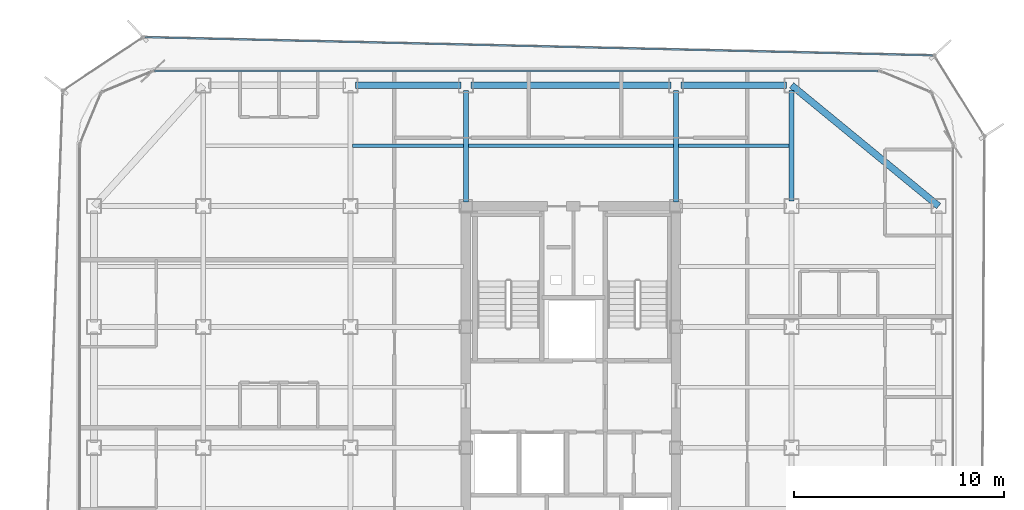
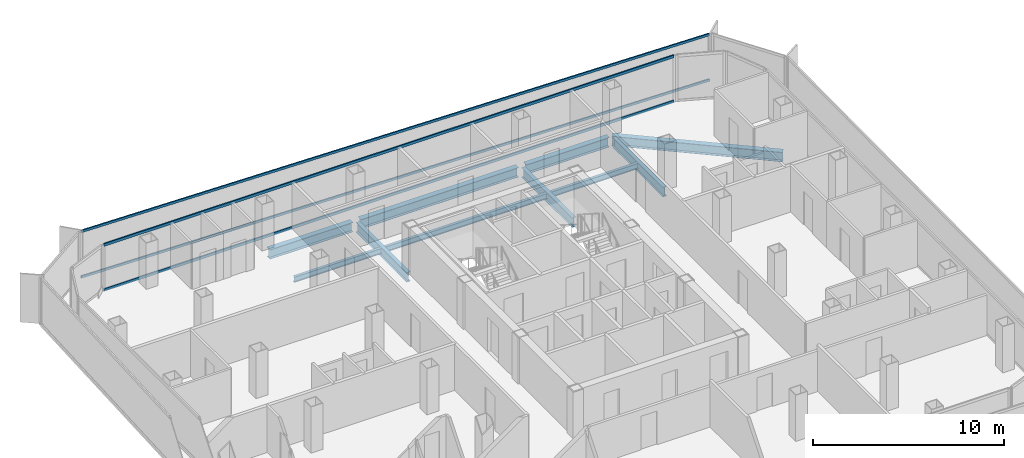
# One storey, part 7 of 15: 10 beams, 4 members, 2 elements without a shape of their own.
"""IFC4 building model written with IfcOpenShell, lengths in metres."""

import ifcopenshell
import ifcopenshell.guid

model = None  # the IFC model being written
_history = None  # IfcOwnerHistory: only IFC2X3 demands one
_inside = {}  # id of a spatial element -> (the spatial element, [elements in it])
_under = {}  # id of a project, library or spatial element -> (it, [spatial elements below it])
_declared = {}  # id of a project -> (the project, [libraries it declares])
_typed = {}  # id of a type object -> (the type object, [elements of that type])
_made_of = {}  # id of a material, layer set ... -> (it, [elements and type objects made of it])


def new_model(schema):
    """Start an empty IFC model of exactly this schema.

    Asked for "IFC4X3", IfcOpenShell would pick the latest addendum, in which some entities
    have other attributes; the version numbers below select the first issue.
    IFC2X3 requires an IfcOwnerHistory on every rooted entity: one is made here for all.
    """
    global model, _history
    if schema == "IFC4X3":
        model = ifcopenshell.file(schema_version=(4, 3, 0, 0))
    else:
        model = ifcopenshell.file(schema=schema)
    _inside.clear()
    _under.clear()
    _declared.clear()
    _typed.clear()
    _made_of.clear()
    _history = None
    if model.schema == "IFC2X3":
        org = make("IfcOrganization", Name="unknown")
        user = make(
            "IfcPersonAndOrganization",
            ThePerson=make("IfcPerson", FamilyName="unknown"),
            TheOrganization=org,
        )
        app = make(
            "IfcApplication",
            ApplicationDeveloper=org,
            Version="unknown",
            ApplicationFullName="unknown",
            ApplicationIdentifier="unknown",
        )
        _history = make(
            "IfcOwnerHistory",
            OwningUser=user,
            OwningApplication=app,
            ChangeAction="ADDED",
            CreationDate=0,
        )
    return model


def make(cls, **values):
    """One entity of the class cls with the attributes given. An attribute that is None is left unset."""
    return model.create_entity(
        cls, **{name: value for name, value in values.items() if value is not None}
    )


def rooted(cls, **values):
    """An entity with a GlobalId (a new one), such as an element, a storey or a relation."""
    return make(cls, GlobalId=ifcopenshell.guid.new(), OwnerHistory=_history, **values)


def si_unit(unit_type, name, prefix=None):
    """IfcSIUnit, for example si_unit("LENGTHUNIT", "METRE", prefix="MILLI")."""
    return make("IfcSIUnit", UnitType=unit_type, Prefix=prefix, Name=name)


def assignment(units):
    """IfcUnitAssignment: the units of a project."""
    return None if units is None else make("IfcUnitAssignment", Units=units)


def point(xyz):
    """IfcCartesianPoint."""
    return None if xyz is None else make("IfcCartesianPoint", Coordinates=xyz)


def direction(xyz):
    """IfcDirection."""
    return None if xyz is None else make("IfcDirection", DirectionRatios=xyz)


def frame(location, z_axis=None, x_axis=None):
    """IfcAxis2Placement3D, a coordinate frame: its origin and axes. An axis left out is left unset."""
    return make(
        "IfcAxis2Placement3D",
        Location=point(location),
        Axis=direction(z_axis),
        RefDirection=direction(x_axis),
    )


def frame_2d(location, x_axis=None):
    """IfcAxis2Placement2D, a coordinate frame in the plane: its origin and x axis."""
    return make(
        "IfcAxis2Placement2D", Location=point(location), RefDirection=direction(x_axis)
    )


def origin():
    """The frame at (0, 0, 0) with its axes left unset."""
    return frame((0.0, 0.0, 0.0))


def origin_2d():
    """The frame at (0, 0) in the plane with its x axis left unset."""
    return frame_2d((0.0, 0.0))


def place(relative_to, where):
    """IfcLocalPlacement: puts the frame where relative to a parent placement (None: the world)."""
    return make(
        "IfcLocalPlacement", PlacementRelTo=relative_to, RelativePlacement=where
    )


def context(
    kind, dimensions, precision=None, world=None, true_north=None, identifier=None
):
    """IfcGeometricRepresentationContext, for example the 3D "Model" context."""
    return make(
        "IfcGeometricRepresentationContext",
        ContextIdentifier=identifier,
        ContextType=kind,
        CoordinateSpaceDimension=dimensions,
        Precision=precision,
        WorldCoordinateSystem=world,
        TrueNorth=true_north,
    )


def subcontext(parent, identifier, kind, view, scale=None):
    """IfcGeometricRepresentationSubContext, for example "Body" below "Model"."""
    return make(
        "IfcGeometricRepresentationSubContext",
        ContextIdentifier=identifier,
        ContextType=kind,
        ParentContext=parent,
        TargetScale=scale,
        TargetView=view,
    )


def project(units=None, contexts=None):
    """IfcProject with its units and contexts."""
    return rooted(
        "IfcProject",
        Name="project",
        RepresentationContexts=contexts,
        UnitsInContext=assignment(units),
    )


def spatial(cls, under=None, at=None, **own):
    """A site, building, storey or space (cls), placed at a placement, below another one or the project."""
    s = rooted(cls, ObjectPlacement=at, **own)
    if under is not None:
        _under.setdefault(under.id(), (under, []))[1].append(s)
    return s


def profile(cls, at=None, kind="AREA", **sizes):
    """A parametric profile (cls). Its sizes go by their IFC names, for example OverallWidth=200.0."""
    return make(cls, ProfileType=kind, Position=at, **sizes)


def hollow_rectangle(**sizes):
    """IfcRectangleHollowProfileDef."""
    return profile("IfcRectangleHollowProfileDef", **sizes)


def i_section(**sizes):
    """IfcIShapeProfileDef."""
    return profile("IfcIShapeProfileDef", **sizes)


def extrude(swept, where, along, depth):
    """IfcExtrudedAreaSolid: the profile swept, set in the frame where, extruded along a direction by depth."""
    return make(
        "IfcExtrudedAreaSolid",
        SweptArea=swept,
        Position=where,
        ExtrudedDirection=direction(along),
        Depth=depth,
    )


def shape(context_of_items, identifier, shape_type, items):
    """IfcShapeRepresentation: the items that make up one representation, for example the "Body"."""
    return make(
        "IfcShapeRepresentation",
        ContextOfItems=context_of_items,
        RepresentationIdentifier=identifier,
        RepresentationType=shape_type,
        Items=items,
    )


def source(mapping_origin, context_of_items, identifier, shape_type, items):
    """IfcRepresentationMap: a shape defined once, which mapped items show again and again."""
    return make(
        "IfcRepresentationMap",
        MappingOrigin=mapping_origin,
        MappedRepresentation=shape(context_of_items, identifier, shape_type, items),
    )


def transform(
    local_origin,
    x_axis=None,
    y_axis=None,
    z_axis=None,
    scale=None,
    scale2=None,
    scale3=None,
    uniform=True,
):
    """IfcCartesianTransformationOperator3D, or its non-uniform kind. x_axis, y_axis, z_axis: its Axis1, 2, 3."""
    if uniform:
        return make(
            "IfcCartesianTransformationOperator3D",
            Axis1=direction(x_axis),
            Axis2=direction(y_axis),
            LocalOrigin=point(local_origin),
            Scale=scale,
            Axis3=direction(z_axis),
        )
    return make(
        "IfcCartesianTransformationOperator3DnonUniform",
        Axis1=direction(x_axis),
        Axis2=direction(y_axis),
        LocalOrigin=point(local_origin),
        Scale=scale,
        Axis3=direction(z_axis),
        Scale2=scale2,
        Scale3=scale3,
    )


def mapped(mapping_source, mapping_target):
    """IfcMappedItem: shows the shape of a source again, moved by a transform."""
    return make(
        "IfcMappedItem", MappingSource=mapping_source, MappingTarget=mapping_target
    )


def material(Name=None, Category=None):
    """IfcMaterial."""
    return make("IfcMaterial", Name=Name, Category=Category)


def layer(
    of_material, thickness, ventilated=None, Name=None, Category=None, Priority=None
):
    """IfcMaterialLayer: one layer of a wall or slab, of a material (None: an air gap)."""
    return make(
        "IfcMaterialLayer",
        Material=of_material,
        LayerThickness=thickness,
        IsVentilated=ventilated,
        Name=Name,
        Category=Category,
        Priority=Priority,
    )


def layer_set(layers, Name=None):
    """IfcMaterialLayerSet."""
    return make("IfcMaterialLayerSet", MaterialLayers=layers, LayerSetName=Name)


def material_profile(
    of_material, cross_section, Name=None, Category=None, Priority=None
):
    """IfcMaterialProfile: a cross section and its material."""
    return make(
        "IfcMaterialProfile",
        Name=Name,
        Material=of_material,
        Profile=cross_section,
        Priority=Priority,
        Category=Category,
    )


def profile_set(profiles, Name=None, composite=None):
    """IfcMaterialProfileSet."""
    return make(
        "IfcMaterialProfileSet",
        Name=Name,
        MaterialProfiles=profiles,
        CompositeProfile=composite,
    )


def made_of(thing, what):
    """Note that an element or type object is made of a material, layer set ...; save() writes the relation."""
    if what is not None:
        _made_of.setdefault(what.id(), (what, []))[1].append(thing)
    return thing


def type_object(cls, material=None, **own):
    """A type object (cls), such as IfcWallType, which elements share."""
    return made_of(rooted(cls, **own), material)


def element(
    cls,
    number,
    at=None,
    inside=None,
    cuts=None,
    type_object=None,
    material=None,
    context=None,
    identifier="Body",
    shape_type=None,
    held_by="IfcProductDefinitionShape",
    body=None,
    shapes=None,
    **own,
):
    """One element of the class cls, such as IfcWall. Its Tag is "e" and its number.

    at: its placement. inside: the storey or other place that contains it. cuts: it is an
    opening in that element (IfcRelVoidsElement). A single representation is given by context,
    identifier, shape_type and body (its items); several are given by shapes. held_by: the class
    of the entity that holds the representations. save() writes the other relations.
    """
    e = rooted(cls, Tag="e%d" % number, ObjectPlacement=at, **own)
    if body is not None:
        shapes = [shape(context, identifier, shape_type, body)]
    if shapes is not None:
        e.Representation = make(held_by, Representations=shapes)
    if inside is not None:
        _inside.setdefault(inside.id(), (inside, []))[1].append(e)
    if cuts is not None:
        rooted(
            "IfcRelVoidsElement", RelatingBuildingElement=cuts, RelatedOpeningElement=e
        )
    if type_object is not None:
        _typed.setdefault(type_object.id(), (type_object, []))[1].append(e)
    return made_of(e, material)


def aggregate(whole, parts):
    """IfcRelAggregates: a whole, such as a stair, and the parts it consists of."""
    return rooted("IfcRelAggregates", RelatingObject=whole, RelatedObjects=parts)


def save(model, path):
    """Write the relations noted so far, then the file.

    IfcRelAggregates (storeys below a building ...), IfcRelContainedInSpatialStructure (elements
    in a storey), IfcRelDefinesByType, IfcRelAssociatesMaterial and IfcRelDeclares: one each for
    every whole, place, type object, material and project.
    """
    for whole, parts in _under.values():
        aggregate(whole, parts)
    for where, things in _inside.values():
        rooted(
            "IfcRelContainedInSpatialStructure",
            RelatedElements=things,
            RelatingStructure=where,
        )
    for kind, things in _typed.values():
        rooted("IfcRelDefinesByType", RelatedObjects=things, RelatingType=kind)
    for what, things in _made_of.values():
        rooted("IfcRelAssociatesMaterial", RelatedObjects=things, RelatingMaterial=what)
    for by, libraries in _declared.values():
        rooted("IfcRelDeclares", RelatingContext=by, RelatedDefinitions=libraries)
    model.write(path)


model = new_model("IFC4")

# Units and contexts
model_context = context("Model", 3, precision=1e-05, world=origin(), true_north=direction((0.0, 1.0)))
body_context = subcontext(model_context, "Body", "Model", "MODEL_VIEW")
ifc_project = project(units=[si_unit("LENGTHUNIT", "METRE"), si_unit("AREAUNIT", "SQUARE_METRE"), si_unit("VOLUMEUNIT", "CUBIC_METRE"), si_unit("PLANEANGLEUNIT", "RADIAN"), si_unit("MASSUNIT", "GRAM", prefix="KILO")], contexts=[model_context])

# Site, building, storey
site_placement = place(None, origin())
site = spatial("IfcSite", under=ifc_project, at=site_placement, CompositionType="ELEMENT")
building_placement = place(site_placement, origin())
building = spatial("IfcBuilding", under=site, at=building_placement, Name="Kolveth Station Tower", CompositionType="ELEMENT")
storey_placement = place(building_placement, frame((0.0, 0.0, 196.39990234375)))
storey = spatial("IfcBuildingStorey", under=building, at=storey_placement, Name="L55", CompositionType="ELEMENT", Elevation=196.39990234375)

# Beams
ifc_material_1 = material(Name="Steel S355", Category="steel")
ifc_material_profile_1 = material_profile(ifc_material_1, i_section(OverallWidth=0.323974609375, OverallDepth=0.611083984375, WebThickness=0.0126953125, FlangeThickness=0.01904296875, at=origin_2d()), Name="W610x155")
ifc_profile_set_1 = profile_set([ifc_material_profile_1], Name="Steel S355")
beam_type_1 = type_object("IfcBeamType", Name="Beam_SP2", PredefinedType="SPANDREL", material=ifc_profile_set_1)
shared_shape_1 = source(origin(), body_context, "Body", "SweptSolid", [
    extrude(i_section(OverallWidth=0.323974609375, OverallDepth=0.611083984375, WebThickness=0.0126953125, FlangeThickness=0.01904296875, at=origin_2d()), origin(), (0.0, 0.0, 1.0), 5.02001953125),
])
for number, where, z_axis, x_axis, name in (
    (1, (13.239990234375, 34.5, -0.555419921875), (1.0, 0.0, 0.0), (0.0, 1.0, 0.0), "L55 Perimeter Spandrel BM-L55-PN-2"),
    (2, (28.739990234375, 34.5, -0.555419921875), (1.0, 0.0, 0.0), (0.0, 1.0, 0.0), "L55 Perimeter Spandrel BM-L55-PN-4"),
):
    element("IfcBeam", number, at=place(storey_placement, frame(where, z_axis=z_axis, x_axis=x_axis)), inside=storey, type_object=beam_type_1, Name=name, PredefinedType="SPANDREL", context=body_context, shape_type="MappedRepresentation", body=[
        mapped(shared_shape_1, transform((0.0, 0.0, 0.0), x_axis=(1.0, 0.0, 0.0), y_axis=(0.0, 1.0, 0.0), z_axis=(0.0, 0.0, 1.0), scale=1.0)),
    ])
shared_shape_2 = source(origin(), body_context, "Body", "SweptSolid", [
    extrude(i_section(OverallWidth=0.323974609375, OverallDepth=0.611083984375, WebThickness=0.0126953125, FlangeThickness=0.01904296875, at=origin_2d()), origin(), (0.0, 0.0, 1.0), 9.52001953125),
])
beam_1_placement = place(storey_placement, frame((18.739990234375, 34.5, -0.555419921875), z_axis=(1.0, 0.0, 0.0), x_axis=(0.0, 1.0, 0.0)))
element("IfcBeam", 3, at=beam_1_placement, inside=storey, type_object=beam_type_1, Name="L55 Perimeter Spandrel BM-L55-PN-3", PredefinedType="SPANDREL", context=body_context, shape_type="MappedRepresentation", body=[
    mapped(shared_shape_2, transform((0.0, 0.0, 0.0), x_axis=(1.0, 0.0, 0.0), y_axis=(0.0, 1.0, 0.0), z_axis=(0.0, 0.0, 1.0), scale=1.0)),
])
shared_shape_3 = source(origin(), body_context, "Body", "SweptSolid", [
    extrude(i_section(OverallWidth=0.323974609375, OverallDepth=0.611083984375, WebThickness=0.0126953125, FlangeThickness=0.01904296875, at=origin_2d()), origin(), (0.0, 0.0, 1.0), 9.058837890625),
])
beam_2_placement = place(storey_placement, frame((41.0, 28.75, -0.555419921875), z_axis=(-0.772726254525, 0.63473942336, 0.0), x_axis=(-0.63473942336, -0.772726254525, 0.0)))
element("IfcBeam", 4, at=beam_2_placement, inside=storey, type_object=beam_type_1, Name="L55 Corner Edge Girder BM-L55-CNR-NE", PredefinedType="SPANDREL", context=body_context, shape_type="MappedRepresentation", body=[
    mapped(shared_shape_3, transform((0.0, 0.0, 0.0), x_axis=(1.0, 0.0, 0.0), y_axis=(0.0, 1.0, 0.0), z_axis=(0.0, 0.0, 1.0), scale=1.0)),
])
ifc_material_profile_2 = material_profile(ifc_material_1, i_section(OverallWidth=0.22900390625, OverallDepth=0.612060546875, WebThickness=0.011962890625, FlangeThickness=0.01953125, at=origin_2d()), Name="W610x125")
ifc_profile_set_2 = profile_set([ifc_material_profile_2], Name="Steel S355")
beam_type_2 = type_object("IfcBeamType", Name="Beam_B5", PredefinedType="BEAM", material=ifc_profile_set_2)
shared_shape_4 = source(origin(), body_context, "Body", "SweptSolid", [
    extrude(i_section(OverallWidth=0.22900390625, OverallDepth=0.612060546875, WebThickness=0.011962890625, FlangeThickness=0.01953125, at=origin_2d()), origin(), (0.0, 0.0, 1.0), 5.27001953125),
])
beam_3_placement = place(storey_placement, frame((34.0, 28.989990234375, -0.555908203125), z_axis=(0.0, 1.0, 0.0), x_axis=(-1.0, 0.0, 0.0)))
element("IfcBeam", 5, at=beam_3_placement, inside=storey, type_object=beam_type_2, Name="L55 Primary Girder BM-L55-GX340-6", PredefinedType="BEAM", context=body_context, shape_type="MappedRepresentation", body=[
    mapped(shared_shape_4, transform((0.0, 0.0, 0.0), x_axis=(1.0, 0.0, 0.0), y_axis=(0.0, 1.0, 0.0), z_axis=(0.0, 0.0, 1.0), scale=1.0)),
])
shared_shape_5 = source(origin(), body_context, "Body", "SweptSolid", [
    extrude(i_section(OverallWidth=0.22900390625, OverallDepth=0.612060546875, WebThickness=0.011962890625, FlangeThickness=0.01953125, at=origin_2d()), origin(), (0.0, 0.0, 1.0), 5.31005859375),
])
for number, where, z_axis, x_axis, name in (
    (6, (18.5, 28.949951171875, -0.555908203125), (0.0, 1.0, 0.0), (-1.0, 0.0, 0.0), "L55 Primary Girder BM-L55-GX185-6"),
    (7, (28.5, 28.949951171875, -0.555908203125), (0.0, 1.0, 0.0), (-1.0, 0.0, 0.0), "L55 Primary Girder BM-L55-GX285-6"),
):
    element("IfcBeam", number, at=place(storey_placement, frame(where, z_axis=z_axis, x_axis=x_axis)), inside=storey, type_object=beam_type_2, Name=name, PredefinedType="BEAM", context=body_context, shape_type="MappedRepresentation", body=[
        mapped(shared_shape_5, transform((0.0, 0.0, 0.0), x_axis=(1.0, 0.0, 0.0), y_axis=(0.0, 1.0, 0.0), z_axis=(0.0, 0.0, 1.0), scale=1.0)),
    ])
ifc_material_profile_3 = material_profile(ifc_material_1, i_section(OverallWidth=0.1708984375, OverallDepth=0.35205078125, WebThickness=0.0068359375, FlangeThickness=0.009765625, at=origin_2d()), Name="W360x44")
ifc_profile_set_3 = profile_set([ifc_material_profile_3], Name="Steel S355")
beam_type_3 = type_object("IfcBeamType", Name="Beam_J2", PredefinedType="JOIST", material=ifc_profile_set_3)
shared_shape_6 = source(origin(), body_context, "Body", "SweptSolid", [
    extrude(i_section(OverallWidth=0.1708984375, OverallDepth=0.35205078125, WebThickness=0.0068359375, FlangeThickness=0.009765625, at=origin_2d()), origin(), (0.0, 0.0, 1.0), 5.27490234375),
])
for number, where, z_axis, x_axis, name in (
    (8, (13.112548828125, 31.625, -0.42578125), (1.0, 0.0, 0.0), (0.0, 1.0, 0.0), "L55 Secondary Joist JST-L55-3-6"),
    (9, (28.612548828125, 31.625, -0.42578125), (1.0, 0.0, 0.0), (0.0, 1.0, 0.0), "L55 Secondary Joist JST-L55-5-6"),
):
    element("IfcBeam", number, at=place(storey_placement, frame(where, z_axis=z_axis, x_axis=x_axis)), inside=storey, type_object=beam_type_3, Name=name, PredefinedType="JOIST", context=body_context, shape_type="MappedRepresentation", body=[
        mapped(shared_shape_6, transform((0.0, 0.0, 0.0), x_axis=(1.0, 0.0, 0.0), y_axis=(0.0, 1.0, 0.0), z_axis=(0.0, 0.0, 1.0), scale=1.0)),
    ])
shared_shape_7 = source(origin(), body_context, "Body", "SweptSolid", [
    extrude(i_section(OverallWidth=0.1708984375, OverallDepth=0.35205078125, WebThickness=0.0068359375, FlangeThickness=0.009765625, at=origin_2d()), origin(), (0.0, 0.0, 1.0), 9.77490234375),
])
beam_4_placement = place(storey_placement, frame((18.612548828125, 31.625, -0.42578125), z_axis=(1.0, 0.0, 0.0), x_axis=(0.0, 1.0, 0.0)))
element("IfcBeam", 10, at=beam_4_placement, inside=storey, type_object=beam_type_3, Name="L55 Secondary Joist JST-L55-4-6", PredefinedType="JOIST", context=body_context, shape_type="MappedRepresentation", body=[
    mapped(shared_shape_7, transform((0.0, 0.0, 0.0), x_axis=(1.0, 0.0, 0.0), y_axis=(0.0, 1.0, 0.0), z_axis=(0.0, 0.0, 1.0), scale=1.0)),
])

# Curtain wall, members
ifc_material_2 = material(Name="Aluminium 6063-T6 and low-E dark glass", Category="aluminium")
ifc_layer_1 = layer(ifc_material_2, 0.18994140625)
ifc_layer_set_1 = layer_set([ifc_layer_1], Name="Aluminium 6063-T6 and low-E dark glass")
curtain_wall_type_1 = type_object("IfcCurtainWallType", Name="CurtainWall_CW-Z2", PredefinedType="NOTDEFINED", material=ifc_layer_set_1)
curtain_wall_1_placement = place(storey_placement, origin())
curtain_wall_1 = element("IfcCurtainWall", 11, at=curtain_wall_1_placement, inside=storey, type_object=curtain_wall_type_1, Name="L55 Inner Thermal Curtain Wall 6", PredefinedType="NOTDEFINED")
ifc_material_3 = material(Name="Black anodized aluminium 6063-T6", Category="aluminium")
ifc_material_profile_4 = material_profile(ifc_material_3, hollow_rectangle(XDim=0.080078125, YDim=0.169921875, WallThickness=0.0048828125, at=origin_2d()), Name="ALU-80x170x5")
ifc_profile_set_4 = profile_set([ifc_material_profile_4], Name="Black anodized aluminium 6063-T6")
member_type_1 = type_object("IfcMemberType", Name="Transom_TR2", PredefinedType="USERDEFINED", material=ifc_profile_set_4)
shared_shape_8 = source(origin(), body_context, "Body", "SweptSolid", [
    extrude(hollow_rectangle(XDim=0.080078125, YDim=0.169921875, WallThickness=0.0048828125, at=origin_2d()), origin(), (0.0, 0.0, 1.0), 34.440185546875),
])
member_1_placement = place(storey_placement, frame((38.1201171875, 35.179931640625, 0.0400390625), z_axis=(-1.0, 0.0, 0.0), x_axis=(0.0, -1.0, 0.0)))
member_1 = element("IfcMember", 12, at=member_1_placement, type_object=member_type_1, Name="CW-Z2 transom 1.1", ObjectType="TRANSOM", PredefinedType="USERDEFINED", context=body_context, shape_type="MappedRepresentation", body=[
    mapped(shared_shape_8, transform((0.0, 0.0, 0.0), x_axis=(1.0, 0.0, 0.0), y_axis=(0.0, 1.0, 0.0), z_axis=(0.0, 0.0, 1.0), scale=1.0)),
])
member_2_placement = place(storey_placement, frame((38.1201171875, 35.179931640625, 2.91015625), z_axis=(-1.0, 0.0, 0.0), x_axis=(0.0, -1.0, 0.0)))
member_2 = element("IfcMember", 13, at=member_2_placement, type_object=member_type_1, Name="CW-Z2 transom 1.2", ObjectType="TRANSOM", PredefinedType="USERDEFINED", context=body_context, shape_type="MappedRepresentation", body=[
    mapped(shared_shape_8, transform((0.0, 0.0, 0.0), x_axis=(1.0, 0.0, 0.0), y_axis=(0.0, 1.0, 0.0), z_axis=(0.0, 0.0, 1.0), scale=1.0)),
])
aggregate(curtain_wall_1, [member_1, member_2])

ifc_material_4 = material(Name="Black anodized aluminium 6063-T6 and dark solar glass", Category="aluminium")
ifc_layer_2 = layer(ifc_material_4, 0.159912109375)
ifc_layer_set_2 = layer_set([ifc_layer_2], Name="Black anodized aluminium 6063-T6 and dark solar glass")
curtain_wall_type_2 = type_object("IfcCurtainWallType", Name="OUTER SKIN CW-OS", PredefinedType="NOTDEFINED", material=ifc_layer_set_2)
curtain_wall_2_placement = place(storey_placement, origin())
curtain_wall_2 = element("IfcCurtainWall", 14, at=curtain_wall_2_placement, inside=storey, type_object=curtain_wall_type_2, Name="L55 Outer Ventilated Skin Curtain Wall 4", PredefinedType="NOTDEFINED")
ifc_material_profile_5 = material_profile(ifc_material_3, hollow_rectangle(XDim=0.080078125, YDim=0.14990234375, WallThickness=0.0048828125, at=origin_2d()), Name="ALU-80x150x5")
ifc_profile_set_5 = profile_set([ifc_material_profile_5], Name="Black anodized aluminium 6063-T6")
member_type_2 = type_object("IfcMemberType", Name="Transom_TR-OS", PredefinedType="USERDEFINED", material=ifc_profile_set_5)
shared_shape_9 = source(origin(), body_context, "Body", "SweptSolid", [
    extrude(hollow_rectangle(XDim=0.080078125, YDim=0.14990234375, WallThickness=0.0048828125, at=origin_2d()), origin(), (0.0, 0.0, 1.0), 37.4814453125),
])
member_3_placement = place(storey_placement, frame((40.702392578125, 35.92236328125, 0.0400390625), z_axis=(-0.999732919209, 0.023110392665, 0.0), x_axis=(-0.023110392665, -0.999732919209, 0.0)))
member_3 = element("IfcMember", 15, at=member_3_placement, type_object=member_type_2, Name="CW-OS transom 1.1", ObjectType="TRANSOM", PredefinedType="USERDEFINED", context=body_context, shape_type="MappedRepresentation", body=[
    mapped(shared_shape_9, transform((0.0, 0.0, 0.0), x_axis=(1.0, 0.0, 0.0), y_axis=(0.0, 1.0, 0.0), z_axis=(0.0, 0.0, 1.0), scale=1.0)),
])
member_4_placement = place(storey_placement, frame((40.702392578125, 35.92236328125, 2.9501953125), z_axis=(-0.999732919209, 0.023110392665, 0.0), x_axis=(-0.023110392665, -0.999732919209, 0.0)))
member_4 = element("IfcMember", 16, at=member_4_placement, type_object=member_type_2, Name="CW-OS transom 1.2", ObjectType="TRANSOM", PredefinedType="USERDEFINED", context=body_context, shape_type="MappedRepresentation", body=[
    mapped(shared_shape_9, transform((0.0, 0.0, 0.0), x_axis=(1.0, 0.0, 0.0), y_axis=(0.0, 1.0, 0.0), z_axis=(0.0, 0.0, 1.0), scale=1.0)),
])
aggregate(curtain_wall_2, [member_3, member_4])

save(model, "model.ifc")
